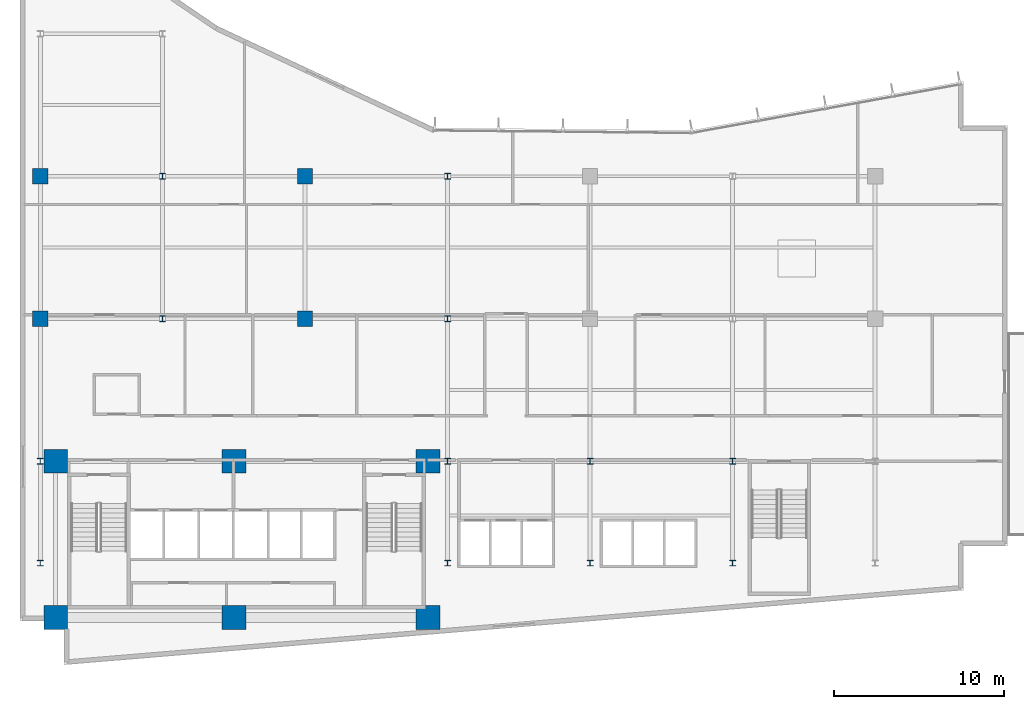
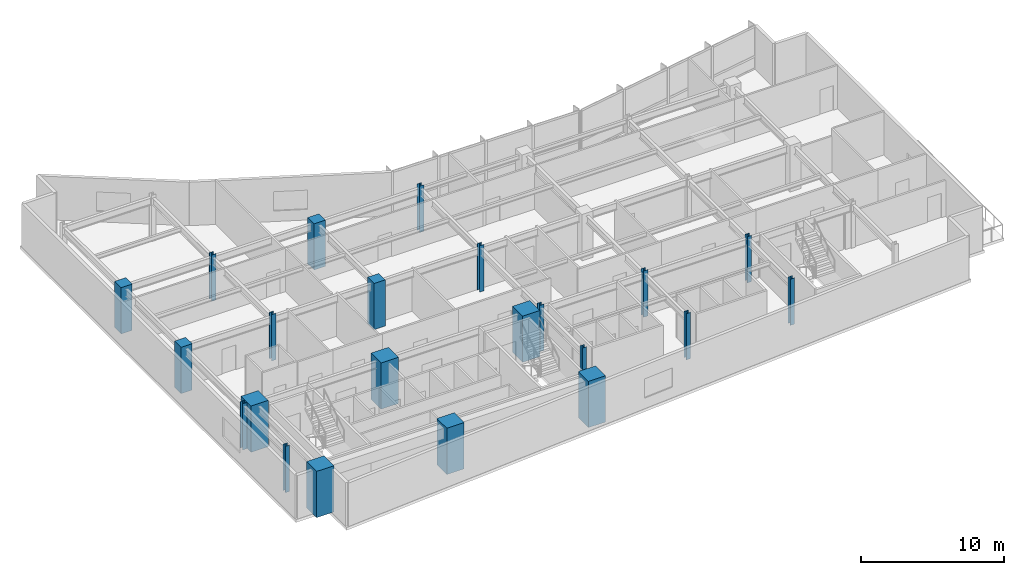
# One storey, part 1 of 18: 22 columns.
"""IFC4 building model written with IfcOpenShell, lengths in metres."""

from ifc_helpers import new_model, si_unit, direction, frame, origin, origin_2d, place, context, subcontext, project, spatial, rectangle, i_section, extrude, material, material_profile, profile_set, type_object, element, save


model = new_model("IFC4")

# Units and contexts
model_context = context("Model", 3, precision=1e-05, world=origin(), true_north=direction((0.0, 1.0)))
body_context = subcontext(model_context, "Body", "Model", "MODEL_VIEW")
ifc_project = project(units=[si_unit("LENGTHUNIT", "METRE"), si_unit("AREAUNIT", "SQUARE_METRE"), si_unit("VOLUMEUNIT", "CUBIC_METRE"), si_unit("PLANEANGLEUNIT", "RADIAN"), si_unit("MASSUNIT", "GRAM", prefix="KILO")], contexts=[model_context])

# Site, building, storey
site_placement = place(None, origin())
site = spatial("IfcSite", under=ifc_project, at=site_placement, CompositionType="ELEMENT")
building_placement = place(site_placement, origin())
building = spatial("IfcBuilding", under=site, at=building_placement, Name="Varnakote Quay Hospital", CompositionType="ELEMENT")
storey_placement = place(building_placement, frame((0.0, 0.0, 30.39990234375)))
storey = spatial("IfcBuildingStorey", under=building, at=storey_placement, Name="L07", CompositionType="ELEMENT", Elevation=30.39990234375)

# Columns
ifc_material_1 = material(Name="Concrete N80 (f'c 80 MPa)", Category="concrete")
ifc_material_profile_1 = material_profile(ifc_material_1, rectangle(XDim=1.39990234375, YDim=1.39990234375, at=origin_2d()), Name="RC-COL-1400x1400")
ifc_profile_set_1 = profile_set([ifc_material_profile_1], Name="Concrete N80 (f'c 80 MPa)")
column_type_1 = type_object("IfcColumnType", Name="COL-RC-1400", PredefinedType="COLUMN", material=ifc_profile_set_1)
for number, where, z_axis, x_axis, name in (
    (1, (2.10009765625, 2.800048828125, 0.0), (0.0, 0.0, 1.0), (1.0, 0.0, 0.0), "L07 Structural Column C-2-3"),
    (2, (12.6201171875, 2.800048828125, 0.0), (0.0, 0.0, 1.0), (1.0, 0.0, 0.0), "L07 Structural Column C-13-3"),
    (3, (24.050048828125, 2.800048828125, 0.0), (0.0, 0.0, 1.0), (1.0, 0.0, 0.0), "L07 Structural Column C-24-3"),
    (4, (2.10009765625, 12.0, 0.0), (0.0, 0.0, 1.0), (1.0, 0.0, 0.0), "L07 Structural Column C-2-12"),
    (5, (12.6201171875, 12.0, 0.0), (0.0, 0.0, 1.0), (1.0, 0.0, 0.0), "L07 Structural Column C-13-12"),
    (6, (24.050048828125, 12.0, 0.0), (0.0, 0.0, 1.0), (1.0, 0.0, 0.0), "L07 Structural Column C-24-12"),
):
    element("IfcColumn", number, at=place(storey_placement, frame(where, z_axis=z_axis, x_axis=x_axis)), inside=storey, type_object=column_type_1, Name=name, PredefinedType="COLUMN", context=body_context, shape_type="SweptSolid", body=[
        extrude(rectangle(XDim=1.39990234375, YDim=1.39990234375, at=origin_2d()), origin(), (0.0, 0.0, 1.0), 3.9501953125),
    ])
ifc_material_2 = material(Name="Concrete N50 (f'c 50 MPa)", Category="concrete")
ifc_material_profile_2 = material_profile(ifc_material_2, rectangle(XDim=0.89990234375, YDim=0.89990234375, at=origin_2d()), Name="RC-COL-900x900")
ifc_profile_set_2 = profile_set([ifc_material_profile_2], Name="Concrete N50 (f'c 50 MPa)")
column_type_2 = type_object("IfcColumnType", Name="COL-RC-900", PredefinedType="COLUMN", material=ifc_profile_set_2)
for number, where, z_axis, x_axis, name in (
    (7, (1.199951171875, 20.39990234375, 0.0), (0.0, 0.0, 1.0), (1.0, 0.0, 0.0), "L07 Structural Column C-1-20"),
    (8, (16.800048828125, 20.39990234375, 0.0), (0.0, 0.0, 1.0), (1.0, 0.0, 0.0), "L07 Structural Column C-17-20"),
    (9, (1.199951171875, 28.800048828125, 0.0), (0.0, 0.0, 1.0), (1.0, 0.0, 0.0), "L07 Structural Column C-1-29"),
    (10, (16.800048828125, 28.800048828125, 0.0), (0.0, 0.0, 1.0), (1.0, 0.0, 0.0), "L07 Structural Column C-17-29"),
):
    element("IfcColumn", number, at=place(storey_placement, frame(where, z_axis=z_axis, x_axis=x_axis)), inside=storey, type_object=column_type_2, Name=name, PredefinedType="COLUMN", context=body_context, shape_type="SweptSolid", body=[
        extrude(rectangle(XDim=0.89990234375, YDim=0.89990234375, at=origin_2d()), origin(), (0.0, 0.0, 1.0), 3.9501953125),
    ])
ifc_material_3 = material(Name="Structural steel AS/NZS 3678 Grade 350 (fy 340 MPa)", Category="steel")
ifc_material_profile_3 = material_profile(ifc_material_3, i_section(OverallWidth=0.35009765625, OverallDepth=0.340087890625, WebThickness=0.01611328125, FlangeThickness=0.028076171875, at=origin_2d()), Name="350WC197")
ifc_profile_set_3 = profile_set([ifc_material_profile_3], Name="Structural steel AS/NZS 3678 Grade 350 (fy 340 MPa)")
column_type_3 = type_object("IfcColumnType", Name="COL-STL-350WC197", PredefinedType="COLUMN", material=ifc_profile_set_3)
for number, where, z_axis, x_axis, name in (
    (11, (1.199951171875, 6.0, 0.0), (0.0, 0.0, 1.0), (1.0, 0.0, 0.0), "L07 Structural Column C-1-6"),
    (12, (25.199951171875, 6.0, 0.0), (0.0, 0.0, 1.0), (1.0, 0.0, 0.0), "L07 Structural Column C-25-6"),
    (13, (33.60009765625, 6.0, 0.0), (0.0, 0.0, 1.0), (1.0, 0.0, 0.0), "L07 Structural Column C-34-6"),
    (14, (42.0, 6.0, 0.0), (0.0, 0.0, 1.0), (1.0, 0.0, 0.0), "L07 Structural Column C-42-6"),
    (15, (1.199951171875, 12.0, 0.0), (0.0, 0.0, 1.0), (1.0, 0.0, 0.0), "L07 Structural Column C-1-12"),
    (16, (25.199951171875, 12.0, 0.0), (0.0, 0.0, 1.0), (1.0, 0.0, 0.0), "L07 Structural Column C-25-12"),
    (17, (33.60009765625, 12.0, 0.0), (0.0, 0.0, 1.0), (1.0, 0.0, 0.0), "L07 Structural Column C-34-12"),
    (18, (42.0, 12.0, 0.0), (0.0, 0.0, 1.0), (1.0, 0.0, 0.0), "L07 Structural Column C-42-12"),
    (19, (8.39990234375, 20.39990234375, 0.0), (0.0, 0.0, 1.0), (1.0, 0.0, 0.0), "L07 Structural Column C-8-20"),
    (20, (25.199951171875, 20.39990234375, 0.0), (0.0, 0.0, 1.0), (1.0, 0.0, 0.0), "L07 Structural Column C-25-20"),
    (21, (8.39990234375, 28.800048828125, 0.0), (0.0, 0.0, 1.0), (1.0, 0.0, 0.0), "L07 Structural Column C-8-29"),
    (22, (25.199951171875, 28.800048828125, 0.0), (0.0, 0.0, 1.0), (1.0, 0.0, 0.0), "L07 Structural Column C-25-29"),
):
    element("IfcColumn", number, at=place(storey_placement, frame(where, z_axis=z_axis, x_axis=x_axis)), inside=storey, type_object=column_type_3, Name=name, PredefinedType="COLUMN", context=body_context, shape_type="SweptSolid", body=[
        extrude(i_section(OverallWidth=0.35009765625, OverallDepth=0.340087890625, WebThickness=0.01611328125, FlangeThickness=0.028076171875, at=origin_2d()), origin(), (0.0, 0.0, 1.0), 3.9501953125),
    ])

save(model, "model.ifc")
